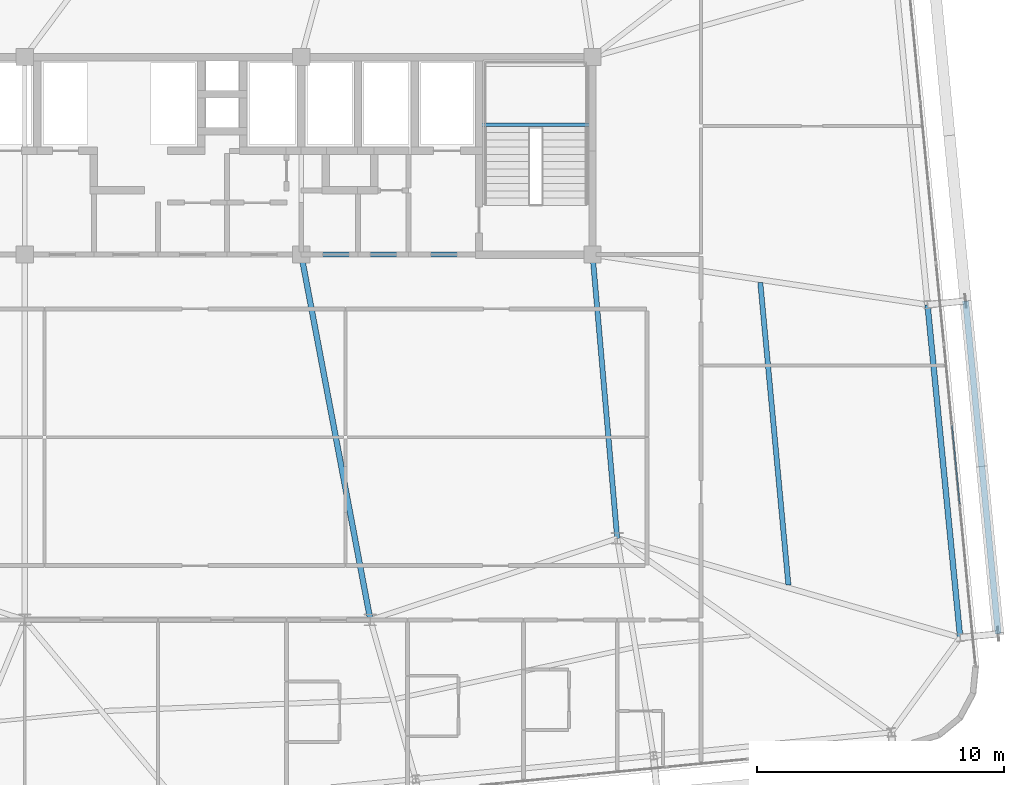
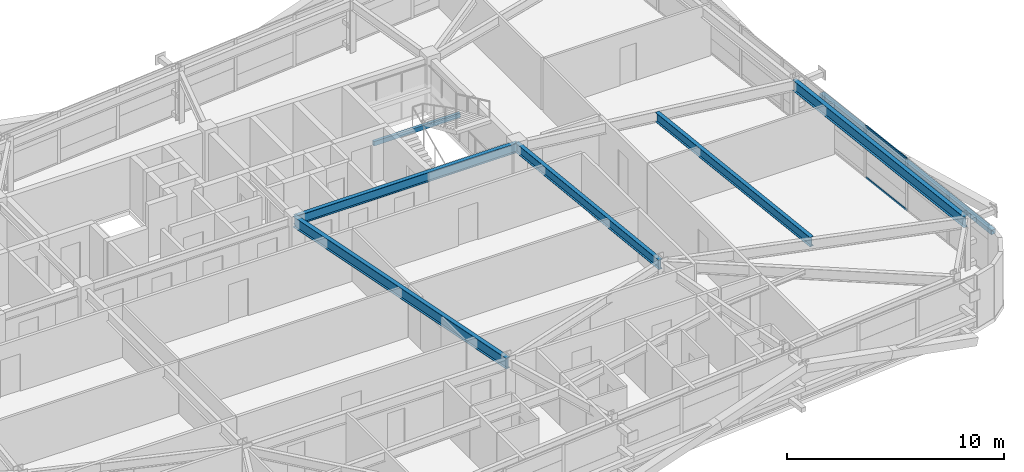
# One storey, part 23 of 54: 6 beams, 3 members, 1 element without a shape of its own.
"""IFC4 building model written with IfcOpenShell, lengths in metres."""

import ifcopenshell
import ifcopenshell.guid

model = None  # the IFC model being written
_history = None  # IfcOwnerHistory: only IFC2X3 demands one
_inside = {}  # id of a spatial element -> (the spatial element, [elements in it])
_under = {}  # id of a project, library or spatial element -> (it, [spatial elements below it])
_declared = {}  # id of a project -> (the project, [libraries it declares])
_typed = {}  # id of a type object -> (the type object, [elements of that type])
_made_of = {}  # id of a material, layer set ... -> (it, [elements and type objects made of it])


def new_model(schema):
    """Start an empty IFC model of exactly this schema.

    Asked for "IFC4X3", IfcOpenShell would pick the latest addendum, in which some entities
    have other attributes; the version numbers below select the first issue.
    IFC2X3 requires an IfcOwnerHistory on every rooted entity: one is made here for all.
    """
    global model, _history
    if schema == "IFC4X3":
        model = ifcopenshell.file(schema_version=(4, 3, 0, 0))
    else:
        model = ifcopenshell.file(schema=schema)
    _inside.clear()
    _under.clear()
    _declared.clear()
    _typed.clear()
    _made_of.clear()
    _history = None
    if model.schema == "IFC2X3":
        org = make("IfcOrganization", Name="unknown")
        user = make(
            "IfcPersonAndOrganization",
            ThePerson=make("IfcPerson", FamilyName="unknown"),
            TheOrganization=org,
        )
        app = make(
            "IfcApplication",
            ApplicationDeveloper=org,
            Version="unknown",
            ApplicationFullName="unknown",
            ApplicationIdentifier="unknown",
        )
        _history = make(
            "IfcOwnerHistory",
            OwningUser=user,
            OwningApplication=app,
            ChangeAction="ADDED",
            CreationDate=0,
        )
    return model


def make(cls, **values):
    """One entity of the class cls with the attributes given. An attribute that is None is left unset."""
    return model.create_entity(
        cls, **{name: value for name, value in values.items() if value is not None}
    )


def rooted(cls, **values):
    """An entity with a GlobalId (a new one), such as an element, a storey or a relation."""
    return make(cls, GlobalId=ifcopenshell.guid.new(), OwnerHistory=_history, **values)


def si_unit(unit_type, name, prefix=None):
    """IfcSIUnit, for example si_unit("LENGTHUNIT", "METRE", prefix="MILLI")."""
    return make("IfcSIUnit", UnitType=unit_type, Prefix=prefix, Name=name)


def assignment(units):
    """IfcUnitAssignment: the units of a project."""
    return None if units is None else make("IfcUnitAssignment", Units=units)


def point(xyz):
    """IfcCartesianPoint."""
    return None if xyz is None else make("IfcCartesianPoint", Coordinates=xyz)


def direction(xyz):
    """IfcDirection."""
    return None if xyz is None else make("IfcDirection", DirectionRatios=xyz)


def frame(location, z_axis=None, x_axis=None):
    """IfcAxis2Placement3D, a coordinate frame: its origin and axes. An axis left out is left unset."""
    return make(
        "IfcAxis2Placement3D",
        Location=point(location),
        Axis=direction(z_axis),
        RefDirection=direction(x_axis),
    )


def frame_2d(location, x_axis=None):
    """IfcAxis2Placement2D, a coordinate frame in the plane: its origin and x axis."""
    return make(
        "IfcAxis2Placement2D", Location=point(location), RefDirection=direction(x_axis)
    )


def origin():
    """The frame at (0, 0, 0) with its axes left unset."""
    return frame((0.0, 0.0, 0.0))


def origin_2d():
    """The frame at (0, 0) in the plane with its x axis left unset."""
    return frame_2d((0.0, 0.0))


def place(relative_to, where):
    """IfcLocalPlacement: puts the frame where relative to a parent placement (None: the world)."""
    return make(
        "IfcLocalPlacement", PlacementRelTo=relative_to, RelativePlacement=where
    )


def context(
    kind, dimensions, precision=None, world=None, true_north=None, identifier=None
):
    """IfcGeometricRepresentationContext, for example the 3D "Model" context."""
    return make(
        "IfcGeometricRepresentationContext",
        ContextIdentifier=identifier,
        ContextType=kind,
        CoordinateSpaceDimension=dimensions,
        Precision=precision,
        WorldCoordinateSystem=world,
        TrueNorth=true_north,
    )


def subcontext(parent, identifier, kind, view, scale=None):
    """IfcGeometricRepresentationSubContext, for example "Body" below "Model"."""
    return make(
        "IfcGeometricRepresentationSubContext",
        ContextIdentifier=identifier,
        ContextType=kind,
        ParentContext=parent,
        TargetScale=scale,
        TargetView=view,
    )


def project(units=None, contexts=None):
    """IfcProject with its units and contexts."""
    return rooted(
        "IfcProject",
        Name="project",
        RepresentationContexts=contexts,
        UnitsInContext=assignment(units),
    )


def spatial(cls, under=None, at=None, **own):
    """A site, building, storey or space (cls), placed at a placement, below another one or the project."""
    s = rooted(cls, ObjectPlacement=at, **own)
    if under is not None:
        _under.setdefault(under.id(), (under, []))[1].append(s)
    return s


def profile(cls, at=None, kind="AREA", **sizes):
    """A parametric profile (cls). Its sizes go by their IFC names, for example OverallWidth=200.0."""
    return make(cls, ProfileType=kind, Position=at, **sizes)


def hollow_rectangle(**sizes):
    """IfcRectangleHollowProfileDef."""
    return profile("IfcRectangleHollowProfileDef", **sizes)


def i_section(**sizes):
    """IfcIShapeProfileDef."""
    return profile("IfcIShapeProfileDef", **sizes)


def extrude(swept, where, along, depth):
    """IfcExtrudedAreaSolid: the profile swept, set in the frame where, extruded along a direction by depth."""
    return make(
        "IfcExtrudedAreaSolid",
        SweptArea=swept,
        Position=where,
        ExtrudedDirection=direction(along),
        Depth=depth,
    )


def shape(context_of_items, identifier, shape_type, items):
    """IfcShapeRepresentation: the items that make up one representation, for example the "Body"."""
    return make(
        "IfcShapeRepresentation",
        ContextOfItems=context_of_items,
        RepresentationIdentifier=identifier,
        RepresentationType=shape_type,
        Items=items,
    )


def source(mapping_origin, context_of_items, identifier, shape_type, items):
    """IfcRepresentationMap: a shape defined once, which mapped items show again and again."""
    return make(
        "IfcRepresentationMap",
        MappingOrigin=mapping_origin,
        MappedRepresentation=shape(context_of_items, identifier, shape_type, items),
    )


def transform(
    local_origin,
    x_axis=None,
    y_axis=None,
    z_axis=None,
    scale=None,
    scale2=None,
    scale3=None,
    uniform=True,
):
    """IfcCartesianTransformationOperator3D, or its non-uniform kind. x_axis, y_axis, z_axis: its Axis1, 2, 3."""
    if uniform:
        return make(
            "IfcCartesianTransformationOperator3D",
            Axis1=direction(x_axis),
            Axis2=direction(y_axis),
            LocalOrigin=point(local_origin),
            Scale=scale,
            Axis3=direction(z_axis),
        )
    return make(
        "IfcCartesianTransformationOperator3DnonUniform",
        Axis1=direction(x_axis),
        Axis2=direction(y_axis),
        LocalOrigin=point(local_origin),
        Scale=scale,
        Axis3=direction(z_axis),
        Scale2=scale2,
        Scale3=scale3,
    )


def mapped(mapping_source, mapping_target):
    """IfcMappedItem: shows the shape of a source again, moved by a transform."""
    return make(
        "IfcMappedItem", MappingSource=mapping_source, MappingTarget=mapping_target
    )


def material(Name=None, Category=None):
    """IfcMaterial."""
    return make("IfcMaterial", Name=Name, Category=Category)


def layer(
    of_material, thickness, ventilated=None, Name=None, Category=None, Priority=None
):
    """IfcMaterialLayer: one layer of a wall or slab, of a material (None: an air gap)."""
    return make(
        "IfcMaterialLayer",
        Material=of_material,
        LayerThickness=thickness,
        IsVentilated=ventilated,
        Name=Name,
        Category=Category,
        Priority=Priority,
    )


def layer_set(layers, Name=None):
    """IfcMaterialLayerSet."""
    return make("IfcMaterialLayerSet", MaterialLayers=layers, LayerSetName=Name)


def material_profile(
    of_material, cross_section, Name=None, Category=None, Priority=None
):
    """IfcMaterialProfile: a cross section and its material."""
    return make(
        "IfcMaterialProfile",
        Name=Name,
        Material=of_material,
        Profile=cross_section,
        Priority=Priority,
        Category=Category,
    )


def profile_set(profiles, Name=None, composite=None):
    """IfcMaterialProfileSet."""
    return make(
        "IfcMaterialProfileSet",
        Name=Name,
        MaterialProfiles=profiles,
        CompositeProfile=composite,
    )


def made_of(thing, what):
    """Note that an element or type object is made of a material, layer set ...; save() writes the relation."""
    if what is not None:
        _made_of.setdefault(what.id(), (what, []))[1].append(thing)
    return thing


def type_object(cls, material=None, **own):
    """A type object (cls), such as IfcWallType, which elements share."""
    return made_of(rooted(cls, **own), material)


def element(
    cls,
    number,
    at=None,
    inside=None,
    cuts=None,
    type_object=None,
    material=None,
    context=None,
    identifier="Body",
    shape_type=None,
    held_by="IfcProductDefinitionShape",
    body=None,
    shapes=None,
    **own,
):
    """One element of the class cls, such as IfcWall. Its Tag is "e" and its number.

    at: its placement. inside: the storey or other place that contains it. cuts: it is an
    opening in that element (IfcRelVoidsElement). A single representation is given by context,
    identifier, shape_type and body (its items); several are given by shapes. held_by: the class
    of the entity that holds the representations. save() writes the other relations.
    """
    e = rooted(cls, Tag="e%d" % number, ObjectPlacement=at, **own)
    if body is not None:
        shapes = [shape(context, identifier, shape_type, body)]
    if shapes is not None:
        e.Representation = make(held_by, Representations=shapes)
    if inside is not None:
        _inside.setdefault(inside.id(), (inside, []))[1].append(e)
    if cuts is not None:
        rooted(
            "IfcRelVoidsElement", RelatingBuildingElement=cuts, RelatedOpeningElement=e
        )
    if type_object is not None:
        _typed.setdefault(type_object.id(), (type_object, []))[1].append(e)
    return made_of(e, material)


def aggregate(whole, parts):
    """IfcRelAggregates: a whole, such as a stair, and the parts it consists of."""
    return rooted("IfcRelAggregates", RelatingObject=whole, RelatedObjects=parts)


def save(model, path):
    """Write the relations noted so far, then the file.

    IfcRelAggregates (storeys below a building ...), IfcRelContainedInSpatialStructure (elements
    in a storey), IfcRelDefinesByType, IfcRelAssociatesMaterial and IfcRelDeclares: one each for
    every whole, place, type object, material and project.
    """
    for whole, parts in _under.values():
        aggregate(whole, parts)
    for where, things in _inside.values():
        rooted(
            "IfcRelContainedInSpatialStructure",
            RelatedElements=things,
            RelatingStructure=where,
        )
    for kind, things in _typed.values():
        rooted("IfcRelDefinesByType", RelatedObjects=things, RelatingType=kind)
    for what, things in _made_of.values():
        rooted("IfcRelAssociatesMaterial", RelatedObjects=things, RelatingMaterial=what)
    for by, libraries in _declared.values():
        rooted("IfcRelDeclares", RelatingContext=by, RelatedDefinitions=libraries)
    model.write(path)


model = new_model("IFC4")

# Units and contexts
model_context = context("Model", 3, precision=1e-05, world=origin(), true_north=direction((0.0, 1.0)))
body_context = subcontext(model_context, "Body", "Model", "MODEL_VIEW")
ifc_project = project(units=[si_unit("LENGTHUNIT", "METRE"), si_unit("AREAUNIT", "SQUARE_METRE"), si_unit("VOLUMEUNIT", "CUBIC_METRE"), si_unit("PLANEANGLEUNIT", "RADIAN"), si_unit("MASSUNIT", "GRAM", prefix="KILO")], contexts=[model_context])

# Site, building, storey
site_placement = place(None, origin())
site = spatial("IfcSite", under=ifc_project, at=site_placement, CompositionType="ELEMENT")
building_placement = place(site_placement, origin())
building = spatial("IfcBuilding", under=site, at=building_placement, Name="Taldren Reach Tower", CompositionType="ELEMENT")
storey_placement = place(building_placement, frame((0.0, 0.0, 102.89990234375)))
storey = spatial("IfcBuildingStorey", under=building, at=storey_placement, Name="L31", CompositionType="ELEMENT", Elevation=102.89990234375)

# Beams
ifc_material_1 = material(Name="Steel Gr 350 (350PLUS)", Category="steel")
ifc_material_profile_1 = material_profile(ifc_material_1, i_section(OverallWidth=0.208984375, OverallDepth=0.532958984375, WebThickness=0.01025390625, FlangeThickness=0.015625, at=origin_2d()), Name="530UB92.4")
ifc_profile_set_1 = profile_set([ifc_material_profile_1], Name="Steel Gr 350 (350PLUS)")
beam_type_1 = type_object("IfcBeamType", Name="BM-UB530A", PredefinedType="BEAM", material=ifc_profile_set_1)
shared_shape_1 = source(origin(), body_context, "Body", "SweptSolid", [
    extrude(i_section(OverallWidth=0.208984375, OverallDepth=0.532958984375, WebThickness=0.01025390625, FlangeThickness=0.015625, at=origin_2d()), origin(), (0.0, 0.0, 1.0), 11.800048828125),
])
beam_1_placement = place(storey_placement, frame((39.199951171875, 24.0, 2.66357421875), z_axis=(1.0, 0.0, 0.0), x_axis=(0.0, 1.0, 0.0)))
element("IfcBeam", 1, at=beam_1_placement, inside=storey, type_object=beam_type_1, Name="Core-spine girder L31-SP03", PredefinedType="BEAM", context=body_context, shape_type="MappedRepresentation", body=[
    mapped(shared_shape_1, transform((0.0, 0.0, 0.0), scale=1.0)),
])
shared_shape_2 = source(origin(), body_context, "Body", "SweptSolid", [
    extrude(i_section(OverallWidth=0.208984375, OverallDepth=0.532958984375, WebThickness=0.01025390625, FlangeThickness=0.015625, at=origin_2d()), origin(), (0.0, 0.0, 1.0), 11.54345703125),
])
beam_2_placement = place(storey_placement, frame((52.0, 12.5, 2.66357421875), z_axis=(-0.086629616365, 0.996240588196, 0.0), x_axis=(-0.996240588196, -0.086629616365, 0.0)))
element("IfcBeam", 2, at=beam_2_placement, inside=storey, type_object=beam_type_1, Name="Core-spine girder L31-SP13", PredefinedType="BEAM", context=body_context, shape_type="MappedRepresentation", body=[
    mapped(shared_shape_2, transform((0.0, 0.0, 0.0), scale=1.0)),
])
ifc_material_profile_2 = material_profile(ifc_material_1, i_section(OverallWidth=0.22802734375, OverallDepth=0.60205078125, WebThickness=0.010498046875, FlangeThickness=0.014892578125, at=origin_2d()), Name="610UB101")
ifc_profile_set_2 = profile_set([ifc_material_profile_2], Name="Steel Gr 350 (350PLUS)")
beam_type_2 = type_object("IfcBeamType", Name="BM-UB610B", PredefinedType="BEAM", material=ifc_profile_set_2)
shared_shape_3 = source(origin(), body_context, "Body", "SweptSolid", [
    extrude(i_section(OverallWidth=0.22802734375, OverallDepth=0.60205078125, WebThickness=0.010498046875, FlangeThickness=0.014892578125, at=origin_2d()), origin(), (0.0, 0.0, 1.0), 15.0625),
])
beam_3_placement = place(storey_placement, frame((39.199951171875, 24.0, 2.629150390625), z_axis=(0.185894205668, -0.982569765614, 0.0), x_axis=(0.982569765614, 0.185894205668, 0.0)))
element("IfcBeam", 3, at=beam_3_placement, inside=storey, type_object=beam_type_2, Name="Core-spine girder L31-SP15", PredefinedType="BEAM", context=body_context, shape_type="MappedRepresentation", body=[
    mapped(shared_shape_3, transform((0.0, 0.0, 0.0), scale=1.0)),
])
shared_shape_4 = source(origin(), body_context, "Body", "SweptSolid", [
    extrude(i_section(OverallWidth=0.22802734375, OverallDepth=0.60205078125, WebThickness=0.010498046875, FlangeThickness=0.014892578125, at=origin_2d()), origin(), (0.0, 0.0, 1.0), 13.550048828125),
])
beam_4_placement = place(storey_placement, frame((65.8916015625, 8.483642578125, 2.629150390625), z_axis=(-0.097566175139, 0.995229039703, 0.0), x_axis=(-0.995229039703, -0.097566175139, 0.0)))
element("IfcBeam", 4, at=beam_4_placement, inside=storey, type_object=beam_type_2, Name="Perimeter gable girder B2 E1-E2 L31", PredefinedType="BEAM", context=body_context, shape_type="MappedRepresentation", body=[
    mapped(shared_shape_4, transform((0.0, 0.0, 0.0), scale=1.0)),
])
shared_shape_5 = source(origin(), body_context, "Body", "SweptSolid", [
    extrude(i_section(OverallWidth=0.208984375, OverallDepth=0.532958984375, WebThickness=0.01025390625, FlangeThickness=0.015625, at=origin_2d()), origin(), (0.0, 0.0, 1.0), 12.306396484375),
])
beam_5_placement = place(storey_placement, frame((58.9345703125, 10.61376953125, 2.66357421875), z_axis=(-0.092546068089, 0.995708403741, 0.0), x_axis=(-0.995708403741, -0.092546068089, 0.0)))
element("IfcBeam", 5, at=beam_5_placement, inside=storey, type_object=beam_type_1, Name="Secondary floor beam B2 J7 L31", PredefinedType="BEAM", context=body_context, shape_type="MappedRepresentation", body=[
    mapped(shared_shape_5, transform((0.0, 0.0, 0.0), scale=1.0)),
])

# Member
ifc_material_2 = material(Name="Steel Gr 350 (C350L0)", Category="steel")
ifc_material_profile_3 = material_profile(ifc_material_2, hollow_rectangle(XDim=0.25, YDim=0.25, WallThickness=0.010009765625, at=origin_2d()), Name="250x250x10.0SHS")
ifc_profile_set_3 = profile_set([ifc_material_profile_3], Name="Steel Gr 350 (C350L0)")
member_type_1 = type_object("IfcMemberType", Name="MB-POST250", PredefinedType="POST", material=ifc_profile_set_3)
shared_shape_6 = source(origin(), body_context, "Body", "SweptSolid", [
    extrude(hollow_rectangle(XDim=0.25, YDim=0.25, WallThickness=0.010009765625, at=origin_2d()), origin(), (0.0, 0.0, 1.0), 13.550048828125),
])
member_1_placement = place(storey_placement, frame((67.434326171875, 8.634765625, 1.43505859375), z_axis=(-0.097584021339, 0.995227290009, 0.0), x_axis=(-0.995227290009, -0.097584021339, 0.0)))
element("IfcMember", 6, at=member_1_placement, inside=storey, type_object=member_type_1, Name="Exoskeleton mid-height ring chord B2-E1 L31", PredefinedType="POST", context=body_context, shape_type="MappedRepresentation", body=[
    mapped(shared_shape_6, transform((0.0, 0.0, 0.0), scale=1.0)),
])

# Curtain wall, members
ifc_material_3 = material(Name="Aluminium and Low-E Glass Unitised System", Category="aluminium")
ifc_layer = layer(ifc_material_3, 0.159912109375)
ifc_layer_set = layer_set([ifc_layer], Name="Aluminium and Low-E Glass Unitised System")
curtain_wall_type = type_object("IfcCurtainWallType", Name="CW-SYS-3", PredefinedType="NOTDEFINED", material=ifc_layer_set)
curtain_wall_placement = place(storey_placement, origin())
curtain_wall = element("IfcCurtainWall", 7, at=curtain_wall_placement, inside=storey, type_object=curtain_wall_type, Name="Unitised curtain wall CW-L31-E", PredefinedType="NOTDEFINED")
ifc_material_4 = material(Name="Anodised Aluminium 6063-T6", Category="aluminium")
ifc_material_profile_4 = material_profile(ifc_material_4, hollow_rectangle(XDim=0.054931640625, YDim=0.1201171875, WallThickness=0.0029296875, at=origin_2d()), Name="ALU-120x55x3RHS")
ifc_profile_set_4 = profile_set([ifc_material_profile_4], Name="Anodised Aluminium 6063-T6")
member_type_2 = type_object("IfcMemberType", Name="CW-TRN-135", PredefinedType="USERDEFINED", material=ifc_profile_set_4)
shared_shape_7 = source(origin(), body_context, "Body", "SweptSolid", [
    extrude(hollow_rectangle(XDim=0.054931640625, YDim=0.1201171875, WallThickness=0.0029296875, at=origin_2d()), origin(), (0.0, 0.0, 1.0), 3.212646484375),
])
member_2_placement = place(storey_placement, frame((65.87353515625, 13.895751953125, 0.027587890625), z_axis=(-0.097577327663, 0.995227946315, 0.0), x_axis=(-0.995227946315, -0.097577327663, 0.0)))
member_2 = element("IfcMember", 8, at=member_2_placement, type_object=member_type_2, Name="CW-3 transom 3.1", ObjectType="TRANSOM", PredefinedType="USERDEFINED", context=body_context, shape_type="MappedRepresentation", body=[
    mapped(shared_shape_7, transform((0.0, 0.0, 0.0), scale=1.0)),
])
member_3_placement = place(storey_placement, frame((65.87353515625, 13.895751953125, 2.902587890625), z_axis=(-0.097577327663, 0.995227946315, 0.0), x_axis=(-0.995227946315, -0.097577327663, 0.0)))
member_3 = element("IfcMember", 9, at=member_3_placement, type_object=member_type_2, Name="CW-3 transom 3.2", ObjectType="TRANSOM", PredefinedType="USERDEFINED", context=body_context, shape_type="MappedRepresentation", body=[
    mapped(shared_shape_7, transform((0.0, 0.0, 0.0), scale=1.0)),
])
aggregate(curtain_wall, [member_2, member_3])

# Beam
ifc_material_profile_5 = material_profile(ifc_material_2, hollow_rectangle(XDim=0.14990234375, YDim=0.25, WallThickness=0.009033203125, at=origin_2d()), Name="250x150x9.0RHS")
ifc_profile_set_5 = profile_set([ifc_material_profile_5], Name="Steel Gr 350 (C350L0)")
beam_type_3 = type_object("IfcBeamType", Name="LN-RHS250", PredefinedType="LINTEL", material=ifc_profile_set_5)
shared_shape_8 = source(origin(), body_context, "Body", "SweptSolid", [
    extrude(hollow_rectangle(XDim=0.14990234375, YDim=0.25, WallThickness=0.009033203125, at=origin_2d()), origin(), (0.0, 0.0, 1.0), 4.60009765625),
])
beam_6_placement = place(storey_placement, frame((46.39990234375, 29.2548828125, 1.27001953125), z_axis=(1.0, 0.0, 0.0), x_axis=(0.0, 1.0, 0.0)))
element("IfcBeam", 10, at=beam_6_placement, inside=storey, type_object=beam_type_3, Name="Stair half-landing support beam ST2-L31-1", PredefinedType="LINTEL", context=body_context, shape_type="MappedRepresentation", body=[
    mapped(shared_shape_8, transform((0.0, 0.0, 0.0), scale=1.0)),
])

save(model, "model.ifc")
